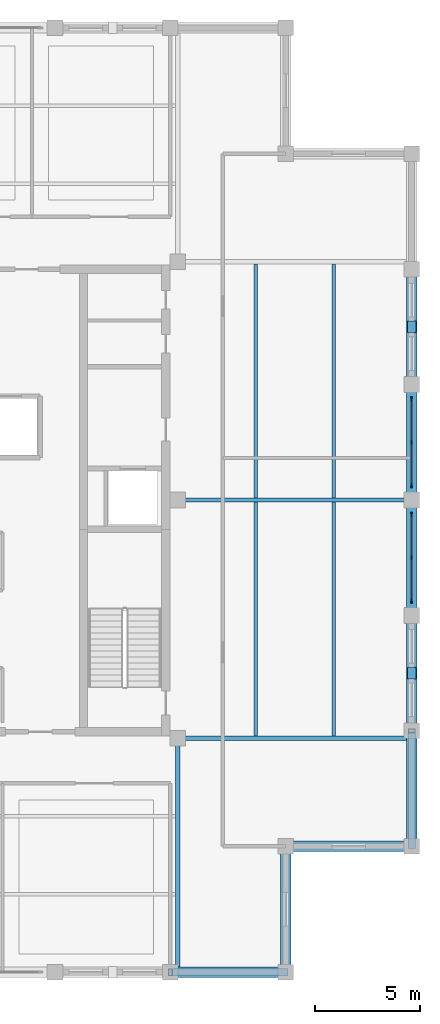
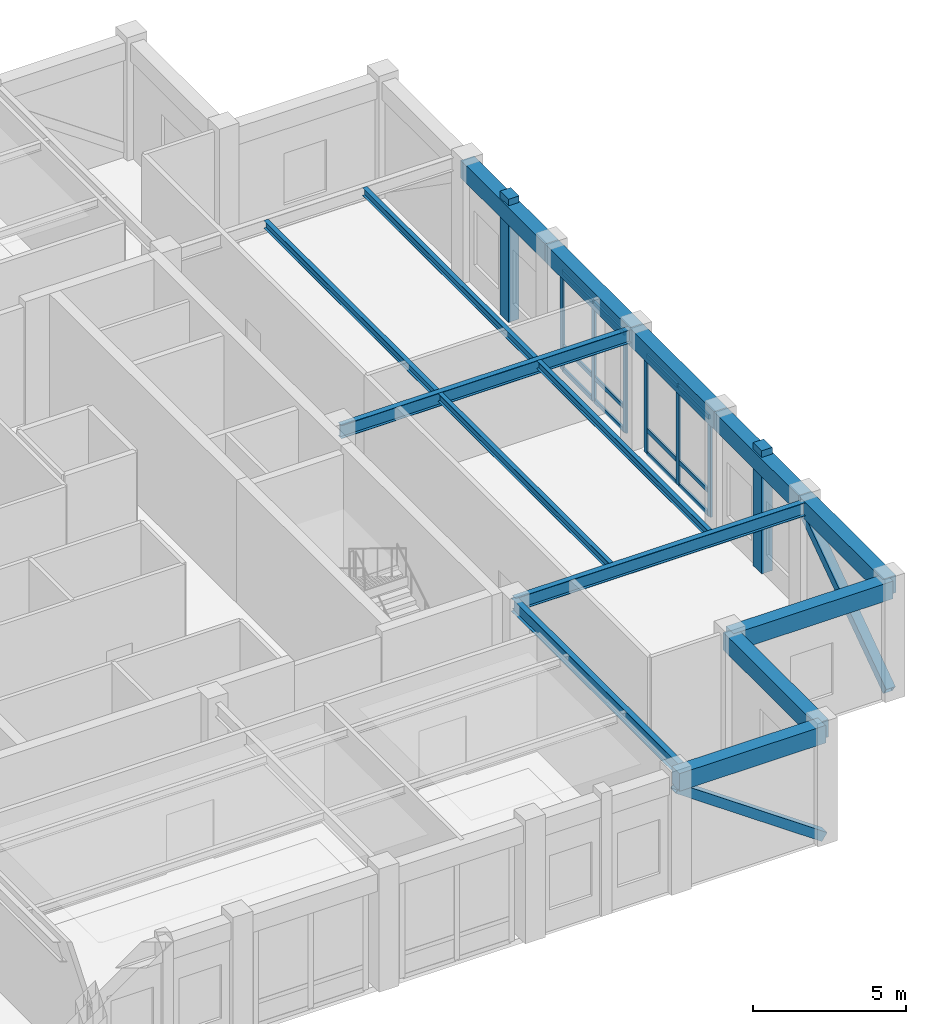
# One storey, part 4 of 13: 22 members, 15 beams, 2 elements without a shape of their own.
"""IFC4 building model written with IfcOpenShell, lengths in metres."""

from ifc_helpers import new_model, si_unit, direction, frame, origin, origin_2d, place, context, subcontext, project, spatial, rectangle, hollow_rectangle, i_section, extrude, material, layer, layer_set, material_profile, profile_set, type_object, element, aggregate, save


model = new_model("IFC4")

# Units and contexts
model_context = context("Model", 3, precision=1e-05, world=origin(), true_north=direction((0.0, 1.0)))
body_context = subcontext(model_context, "Body", "Model", "MODEL_VIEW")
ifc_project = project(units=[si_unit("LENGTHUNIT", "METRE"), si_unit("AREAUNIT", "SQUARE_METRE"), si_unit("VOLUMEUNIT", "CUBIC_METRE"), si_unit("PLANEANGLEUNIT", "RADIAN"), si_unit("MASSUNIT", "GRAM", prefix="KILO")], contexts=[model_context])

# Site, building, storey
site_placement = place(None, origin())
site = spatial("IfcSite", under=ifc_project, at=site_placement, CompositionType="ELEMENT")
building_placement = place(site_placement, origin())
building = spatial("IfcBuilding", under=site, at=building_placement, Name="Nhamokura Convention Tower", CompositionType="ELEMENT")
storey_placement = place(building_placement, frame((0.0, 0.0, 308.35009765625)))
storey = spatial("IfcBuildingStorey", under=building, at=storey_placement, Name="L76", CompositionType="ELEMENT", Elevation=308.35009765625)

# Members
ifc_material_1 = material(Name="Bronze-pigmented precast concrete C45/55", Category="concrete")
ifc_material_profile_1 = material_profile(ifc_material_1, rectangle(XDim=0.39990234375, YDim=0.550048828125, at=origin_2d()))
ifc_profile_set_1 = profile_set([ifc_material_profile_1], Name="Bronze-pigmented precast concrete C45/55")
member_type_1 = type_object("IfcMemberType", Name="BronzePilaster_550", PredefinedType="USERDEFINED", material=ifc_profile_set_1)
for number, where, z_axis, x_axis, name in (
    (1, (54.5, 23.75, 0.0), (0.0, 0.0, 1.0), (1.0, 0.0, 0.0), "L76 Engaged Frame Pilaster EAST 1"),
    (2, (54.5, 40.25, 0.0), (0.0, 0.0, 1.0), (1.0, 0.0, 0.0), "L76 Engaged Frame Pilaster EAST 4"),
):
    element("IfcMember", number, at=place(storey_placement, frame(where, z_axis=z_axis, x_axis=x_axis)), inside=storey, type_object=member_type_1, Name=name, ObjectType="PILASTER_TRIM", PredefinedType="USERDEFINED", context=body_context, shape_type="SweptSolid", body=[
        extrude(rectangle(XDim=0.39990234375, YDim=0.550048828125, at=origin_2d()), origin(), (0.0, 0.0, 1.0), 4.89990234375),
    ])

# Curtain wall, members
ifc_material_2 = material(Name="Anodised bronze aluminium AA6063-T6", Category="aluminium")
ifc_layer = layer(ifc_material_2, 0.18994140625)
ifc_layer_set = layer_set([ifc_layer], Name="CWSystem_SkyLobby")
curtain_wall_type = type_object("IfcCurtainWallType", Name="CWSystem_SkyLobby", PredefinedType="NOTDEFINED", material=ifc_layer_set)
curtain_wall_1_placement = place(storey_placement, origin())
curtain_wall_1 = element("IfcCurtainWall", 3, at=curtain_wall_1_placement, inside=storey, type_object=curtain_wall_type, Name="L76 Curtain Wall ENV-L76-CW-E2", PredefinedType="NOTDEFINED")
ifc_material_3 = material(Name="Anodised bronze aluminium AA6063-T6", Category="aluminium")
ifc_material_profile_2 = material_profile(ifc_material_3, rectangle(XDim=0.074951171875, YDim=0.199951171875, at=origin_2d()))
ifc_profile_set_2 = profile_set([ifc_material_profile_2], Name="Anodised bronze aluminium AA6063-T6")
member_type_2 = type_object("IfcMemberType", Name="CWMullion_2", PredefinedType="MULLION", material=ifc_profile_set_2)
member_1_placement = place(storey_placement, frame((54.5, 31.3125, 0.0), z_axis=(0.0, 0.0, 1.0), x_axis=(1.0, 0.0, 0.0)))
member_1 = element("IfcMember", 4, at=member_1_placement, type_object=member_type_2, Name="CW-06 mullion 1", PredefinedType="MULLION", context=body_context, shape_type="SweptSolid", body=[
    extrude(rectangle(XDim=0.074951171875, YDim=0.199951171875, at=origin_2d()), origin(), (0.0, 0.0, 1.0), 3.93994140625),
])
member_2_placement = place(storey_placement, frame((54.5, 29.25, 0.0), z_axis=(0.0, 0.0, 1.0), x_axis=(1.0, 0.0, 0.0)))
member_2 = element("IfcMember", 5, at=member_2_placement, type_object=member_type_2, Name="CW-06 mullion 2", PredefinedType="MULLION", context=body_context, shape_type="SweptSolid", body=[
    extrude(rectangle(XDim=0.074951171875, YDim=0.199951171875, at=origin_2d()), origin(), (0.0, 0.0, 1.0), 3.93994140625),
])
member_3_placement = place(storey_placement, frame((54.5, 27.1875, 0.0), z_axis=(0.0, 0.0, 1.0), x_axis=(1.0, 0.0, 0.0)))
member_3 = element("IfcMember", 6, at=member_3_placement, type_object=member_type_2, Name="CW-06 mullion 3", PredefinedType="MULLION", context=body_context, shape_type="SweptSolid", body=[
    extrude(rectangle(XDim=0.074951171875, YDim=0.199951171875, at=origin_2d()), origin(), (0.0, 0.0, 1.0), 3.93994140625),
])

curtain_wall_2_placement = place(storey_placement, origin())
curtain_wall_2 = element("IfcCurtainWall", 7, at=curtain_wall_2_placement, inside=storey, type_object=curtain_wall_type, Name="L76 Curtain Wall ENV-L76-CW-E3", PredefinedType="NOTDEFINED")
member_4_placement = place(storey_placement, frame((54.5, 36.8125, 0.0), z_axis=(0.0, 0.0, 1.0), x_axis=(1.0, 0.0, 0.0)))
member_4 = element("IfcMember", 8, at=member_4_placement, type_object=member_type_2, Name="CW-06 mullion 1", PredefinedType="MULLION", context=body_context, shape_type="SweptSolid", body=[
    extrude(rectangle(XDim=0.074951171875, YDim=0.199951171875, at=origin_2d()), origin(), (0.0, 0.0, 1.0), 3.93994140625),
])
member_5_placement = place(storey_placement, frame((54.5, 34.75, 0.0), z_axis=(0.0, 0.0, 1.0), x_axis=(1.0, 0.0, 0.0)))
member_5 = element("IfcMember", 9, at=member_5_placement, type_object=member_type_2, Name="CW-06 mullion 2", PredefinedType="MULLION", context=body_context, shape_type="SweptSolid", body=[
    extrude(rectangle(XDim=0.074951171875, YDim=0.199951171875, at=origin_2d()), origin(), (0.0, 0.0, 1.0), 3.93994140625),
])
member_6_placement = place(storey_placement, frame((54.5, 32.6875, 0.0), z_axis=(0.0, 0.0, 1.0), x_axis=(1.0, 0.0, 0.0)))
member_6 = element("IfcMember", 10, at=member_6_placement, type_object=member_type_2, Name="CW-06 mullion 3", PredefinedType="MULLION", context=body_context, shape_type="SweptSolid", body=[
    extrude(rectangle(XDim=0.074951171875, YDim=0.199951171875, at=origin_2d()), origin(), (0.0, 0.0, 1.0), 3.93994140625),
])

# Member
ifc_material_4 = material(Name="Anodised bronze aluminium AA6063-T6", Category="aluminium")
ifc_material_profile_3 = material_profile(ifc_material_4, rectangle(XDim=0.074951171875, YDim=0.169921875, at=origin_2d()))
ifc_profile_set_3 = profile_set([ifc_material_profile_3], Name="Anodised bronze aluminium AA6063-T6")
member_type_3 = type_object("IfcMemberType", Name="CWTransom_2", PredefinedType="USERDEFINED", material=ifc_profile_set_3)
member_7_placement = place(storey_placement, frame((54.5, 31.27490234375, 0.037353515625), z_axis=(0.0, -1.0, 0.0), x_axis=(1.0, 0.0, 0.0)))
member_7 = element("IfcMember", 11, at=member_7_placement, type_object=member_type_3, Name="CW-06 transom 1.1", ObjectType="TRANSOM", PredefinedType="USERDEFINED", context=body_context, shape_type="SweptSolid", body=[
    extrude(rectangle(XDim=0.074951171875, YDim=0.169921875, at=origin_2d()), origin(), (0.0, 0.0, 1.0), 1.9873046875),
])

member_8_placement = place(storey_placement, frame((54.5, 31.27490234375, 0.949951171875), z_axis=(0.0, -1.0, 0.0), x_axis=(1.0, 0.0, 0.0)))
member_8 = element("IfcMember", 12, at=member_8_placement, type_object=member_type_3, Name="CW-06 transom 1.2", ObjectType="TRANSOM", PredefinedType="USERDEFINED", context=body_context, shape_type="SweptSolid", body=[
    extrude(rectangle(XDim=0.074951171875, YDim=0.169921875, at=origin_2d()), origin(), (0.0, 0.0, 1.0), 1.9873046875),
])

member_9_placement = place(storey_placement, frame((54.5, 31.27490234375, 3.90234375), z_axis=(0.0, -1.0, 0.0), x_axis=(1.0, 0.0, 0.0)))
member_9 = element("IfcMember", 13, at=member_9_placement, type_object=member_type_3, Name="CW-06 transom 1.3", ObjectType="TRANSOM", PredefinedType="USERDEFINED", context=body_context, shape_type="SweptSolid", body=[
    extrude(rectangle(XDim=0.074951171875, YDim=0.169921875, at=origin_2d()), origin(), (0.0, 0.0, 1.0), 1.9873046875),
])

member_10_placement = place(storey_placement, frame((54.5, 29.21240234375, 0.037353515625), z_axis=(0.0, -1.0, 0.0), x_axis=(1.0, 0.0, 0.0)))
member_10 = element("IfcMember", 14, at=member_10_placement, type_object=member_type_3, Name="CW-06 transom 2.1", ObjectType="TRANSOM", PredefinedType="USERDEFINED", context=body_context, shape_type="SweptSolid", body=[
    extrude(rectangle(XDim=0.074951171875, YDim=0.169921875, at=origin_2d()), origin(), (0.0, 0.0, 1.0), 1.9873046875),
])

member_11_placement = place(storey_placement, frame((54.5, 29.21240234375, 0.949951171875), z_axis=(0.0, -1.0, 0.0), x_axis=(1.0, 0.0, 0.0)))
member_11 = element("IfcMember", 15, at=member_11_placement, type_object=member_type_3, Name="CW-06 transom 2.2", ObjectType="TRANSOM", PredefinedType="USERDEFINED", context=body_context, shape_type="SweptSolid", body=[
    extrude(rectangle(XDim=0.074951171875, YDim=0.169921875, at=origin_2d()), origin(), (0.0, 0.0, 1.0), 1.9873046875),
])

member_12_placement = place(storey_placement, frame((54.5, 29.21240234375, 3.90234375), z_axis=(0.0, -1.0, 0.0), x_axis=(1.0, 0.0, 0.0)))
member_12 = element("IfcMember", 16, at=member_12_placement, type_object=member_type_3, Name="CW-06 transom 2.3", ObjectType="TRANSOM", PredefinedType="USERDEFINED", context=body_context, shape_type="SweptSolid", body=[
    extrude(rectangle(XDim=0.074951171875, YDim=0.169921875, at=origin_2d()), origin(), (0.0, 0.0, 1.0), 1.9873046875),
])

aggregate(curtain_wall_1, [member_1, member_2, member_3, member_7, member_8, member_9, member_10, member_11, member_12])

member_13_placement = place(storey_placement, frame((54.5, 36.77490234375, 0.037353515625), z_axis=(0.0, -1.0, 0.0), x_axis=(1.0, 0.0, 0.0)))
member_13 = element("IfcMember", 17, at=member_13_placement, type_object=member_type_3, Name="CW-06 transom 1.1", ObjectType="TRANSOM", PredefinedType="USERDEFINED", context=body_context, shape_type="SweptSolid", body=[
    extrude(rectangle(XDim=0.074951171875, YDim=0.169921875, at=origin_2d()), origin(), (0.0, 0.0, 1.0), 1.9873046875),
])

member_14_placement = place(storey_placement, frame((54.5, 36.77490234375, 0.949951171875), z_axis=(0.0, -1.0, 0.0), x_axis=(1.0, 0.0, 0.0)))
member_14 = element("IfcMember", 18, at=member_14_placement, type_object=member_type_3, Name="CW-06 transom 1.2", ObjectType="TRANSOM", PredefinedType="USERDEFINED", context=body_context, shape_type="SweptSolid", body=[
    extrude(rectangle(XDim=0.074951171875, YDim=0.169921875, at=origin_2d()), origin(), (0.0, 0.0, 1.0), 1.9873046875),
])

member_15_placement = place(storey_placement, frame((54.5, 36.77490234375, 3.90234375), z_axis=(0.0, -1.0, 0.0), x_axis=(1.0, 0.0, 0.0)))
member_15 = element("IfcMember", 19, at=member_15_placement, type_object=member_type_3, Name="CW-06 transom 1.3", ObjectType="TRANSOM", PredefinedType="USERDEFINED", context=body_context, shape_type="SweptSolid", body=[
    extrude(rectangle(XDim=0.074951171875, YDim=0.169921875, at=origin_2d()), origin(), (0.0, 0.0, 1.0), 1.9873046875),
])

member_16_placement = place(storey_placement, frame((54.5, 34.71240234375, 0.037353515625), z_axis=(0.0, -1.0, 0.0), x_axis=(1.0, 0.0, 0.0)))
member_16 = element("IfcMember", 20, at=member_16_placement, type_object=member_type_3, Name="CW-06 transom 2.1", ObjectType="TRANSOM", PredefinedType="USERDEFINED", context=body_context, shape_type="SweptSolid", body=[
    extrude(rectangle(XDim=0.074951171875, YDim=0.169921875, at=origin_2d()), origin(), (0.0, 0.0, 1.0), 1.9873046875),
])

member_17_placement = place(storey_placement, frame((54.5, 34.71240234375, 0.949951171875), z_axis=(0.0, -1.0, 0.0), x_axis=(1.0, 0.0, 0.0)))
member_17 = element("IfcMember", 21, at=member_17_placement, type_object=member_type_3, Name="CW-06 transom 2.2", ObjectType="TRANSOM", PredefinedType="USERDEFINED", context=body_context, shape_type="SweptSolid", body=[
    extrude(rectangle(XDim=0.074951171875, YDim=0.169921875, at=origin_2d()), origin(), (0.0, 0.0, 1.0), 1.9873046875),
])

member_18_placement = place(storey_placement, frame((54.5, 34.71240234375, 3.90234375), z_axis=(0.0, -1.0, 0.0), x_axis=(1.0, 0.0, 0.0)))
member_18 = element("IfcMember", 22, at=member_18_placement, type_object=member_type_3, Name="CW-06 transom 2.3", ObjectType="TRANSOM", PredefinedType="USERDEFINED", context=body_context, shape_type="SweptSolid", body=[
    extrude(rectangle(XDim=0.074951171875, YDim=0.169921875, at=origin_2d()), origin(), (0.0, 0.0, 1.0), 1.9873046875),
])

aggregate(curtain_wall_2, [member_4, member_5, member_6, member_13, member_14, member_15, member_16, member_17, member_18])

# Beams
ifc_material_5 = material(Name="Steel ASTM A992 Gr 50", Category="steel")
ifc_material_profile_4 = material_profile(ifc_material_5, i_section(OverallWidth=0.166015625, OverallDepth=0.31298828125, WebThickness=0.006591796875, FlangeThickness=0.01123046875, at=origin_2d()))
ifc_profile_set_4 = profile_set([ifc_material_profile_4], Name="Steel ASTM A992 Gr 50")
beam_type_1 = type_object("IfcBeamType", Name="FloorJoist_W310X45", PredefinedType="JOIST", material=ifc_profile_set_4)
for number, where, z_axis, x_axis, name in (
    (23, (47.066650390625, 20.75244140625, 4.4833984375), (0.0, 1.0, 0.0), (-1.0, 0.0, 0.0), "L76 Composite Floor Joist E1A"),
    (24, (47.066650390625, 32.1025390625, 4.4833984375), (0.0, 1.0, 0.0), (-1.0, 0.0, 0.0), "L76 Composite Floor Joist E1B"),
    (25, (50.783203125, 20.75244140625, 4.4833984375), (0.0, 1.0, 0.0), (-1.0, 0.0, 0.0), "L76 Composite Floor Joist E2A"),
    (26, (50.783203125, 32.1025390625, 4.4833984375), (0.0, 1.0, 0.0), (-1.0, 0.0, 0.0), "L76 Composite Floor Joist E2B"),
):
    element("IfcBeam", number, at=place(storey_placement, frame(where, z_axis=z_axis, x_axis=x_axis)), inside=storey, type_object=beam_type_1, Name=name, PredefinedType="JOIST", context=body_context, shape_type="SweptSolid", body=[
        extrude(i_section(OverallWidth=0.166015625, OverallDepth=0.31298828125, WebThickness=0.006591796875, FlangeThickness=0.01123046875, at=origin_2d()), origin(), (0.0, 0.0, 1.0), 11.14501953125),
    ])
ifc_material_6 = material(Name="Steel ASTM A992 Gr 50", Category="steel")
ifc_material_profile_5 = material_profile(ifc_material_6, i_section(OverallWidth=0.208984375, OverallDepth=0.532958984375, WebThickness=0.01025390625, FlangeThickness=0.015625, at=origin_2d()))
ifc_profile_set_5 = profile_set([ifc_material_profile_5], Name="Steel ASTM A992 Gr 50")
beam_type_2 = type_object("IfcBeamType", Name="PrimaryGirder_W530X92", PredefinedType="BEAM", material=ifc_profile_set_5)
for number, where, z_axis, x_axis, name in (
    (27, (43.35009765625, 9.5, 4.373291015625), (0.0, 1.0, 0.0), (-1.0, 0.0, 0.0), "L76 Primary Floor Girder PG-S3"),
    (28, (43.35009765625, 20.64990234375, 4.373291015625), (1.0, 0.0, 0.0), (0.0, 1.0, 0.0), "L76 Primary Floor Girder PG-E1"),
    (29, (43.35009765625, 32.0, 4.373291015625), (1.0, 0.0, 0.0), (0.0, 1.0, 0.0), "L76 Primary Floor Girder PG-E2"),
):
    element("IfcBeam", number, at=place(storey_placement, frame(where, z_axis=z_axis, x_axis=x_axis)), inside=storey, type_object=beam_type_2, Name=name, PredefinedType="BEAM", context=body_context, shape_type="SweptSolid", body=[
        extrude(i_section(OverallWidth=0.208984375, OverallDepth=0.532958984375, WebThickness=0.01025390625, FlangeThickness=0.015625, at=origin_2d()), origin(), (0.0, 0.0, 1.0), 11.14990234375),
    ])

# Members
ifc_material_7 = material(Name="Steel ASTM A572 Gr 50", Category="steel")
ifc_material_profile_6 = material_profile(ifc_material_7, hollow_rectangle(XDim=0.35009765625, YDim=0.35009765625, WallThickness=0.01611328125, at=origin_2d()))
ifc_profile_set_6 = profile_set([ifc_material_profile_6], Name="Steel ASTM A572 Gr 50")
member_type_4 = type_object("IfcMemberType", Name="TubeBrace_HSS350", PredefinedType="BRACE", material=ifc_profile_set_6)
for number, where, z_axis, x_axis, name in (
    (30, (48.5, 9.5, 0.14990234375), (-0.819925528188, 0.0, 0.572470198547), (0.0, -1.0, 0.0), "L76 Perimeter Tube Brace SOUTH Bay 5"),
    (31, (54.5, 15.5, 0.14990234375), (0.0, 0.819925528188, 0.572470198547), (-1.0, 0.0, 0.0), "L76 Perimeter Tube Brace EAST Bay 0"),
):
    element("IfcMember", number, at=place(storey_placement, frame(where, z_axis=z_axis, x_axis=x_axis)), inside=storey, type_object=member_type_4, Name=name, PredefinedType="BRACE", context=body_context, shape_type="SweptSolid", body=[
        extrude(hollow_rectangle(XDim=0.35009765625, YDim=0.35009765625, WallThickness=0.01611328125, at=origin_2d()), origin(), (0.0, 0.0, 1.0), 6.7080078125),
    ])

# Beams
ifc_material_8 = material(Name="Concrete C50/60", Category="concrete")
ifc_material_profile_7 = material_profile(ifc_material_8, rectangle(XDim=0.5, YDim=0.699951171875, at=origin_2d()))
ifc_profile_set_7 = profile_set([ifc_material_profile_7], Name="Concrete C50/60")
beam_type_3 = type_object("IfcBeamType", Name="TubeSpandrel_700", PredefinedType="SPANDREL", material=ifc_profile_set_7)
for number, where, z_axis, x_axis, name in (
    (32, (43.0, 9.5, 4.289794921875), (1.0, 0.0, 0.0), (0.0, 1.0, 0.0), "L76 Perimeter Spandrel SOUTH 6"),
    (33, (54.5, 15.5, 4.289794921875), (0.0, 1.0, 0.0), (-1.0, 0.0, 0.0), "L76 Perimeter Spandrel EAST 1"),
    (34, (54.5, 21.0, 4.289794921875), (0.0, 1.0, 0.0), (-1.0, 0.0, 0.0), "L76 Perimeter Spandrel EAST 2"),
    (35, (54.5, 26.5, 4.289794921875), (0.0, 1.0, 0.0), (-1.0, 0.0, 0.0), "L76 Perimeter Spandrel EAST 3"),
    (36, (54.5, 32.0, 4.289794921875), (0.0, 1.0, 0.0), (-1.0, 0.0, 0.0), "L76 Perimeter Spandrel EAST 4"),
    (37, (54.5, 37.5, 4.289794921875), (0.0, 1.0, 0.0), (-1.0, 0.0, 0.0), "L76 Perimeter Spandrel EAST 5"),
):
    element("IfcBeam", number, at=place(storey_placement, frame(where, z_axis=z_axis, x_axis=x_axis)), inside=storey, type_object=beam_type_3, Name=name, PredefinedType="SPANDREL", context=body_context, shape_type="SweptSolid", body=[
        extrude(rectangle(XDim=0.5, YDim=0.699951171875, at=origin_2d()), origin(), (0.0, 0.0, 1.0), 5.5),
    ])
for number, where, z_axis, x_axis, name in (
    (38, (48.5, 9.5, 4.289794921875), (0.0, 1.0, 0.0), (-1.0, 0.0, 0.0), "L76 Notch Spandrel SE1"),
    (39, (48.5, 15.5, 4.289794921875), (1.0, 0.0, 0.0), (0.0, 1.0, 0.0), "L76 Notch Spandrel SE2"),
):
    element("IfcBeam", number, at=place(storey_placement, frame(where, z_axis=z_axis, x_axis=x_axis)), inside=storey, type_object=beam_type_3, Name=name, PredefinedType="SPANDREL", context=body_context, shape_type="SweptSolid", body=[
        extrude(rectangle(XDim=0.5, YDim=0.699951171875, at=origin_2d()), origin(), (0.0, 0.0, 1.0), 6.0),
    ])

save(model, "model.ifc")
